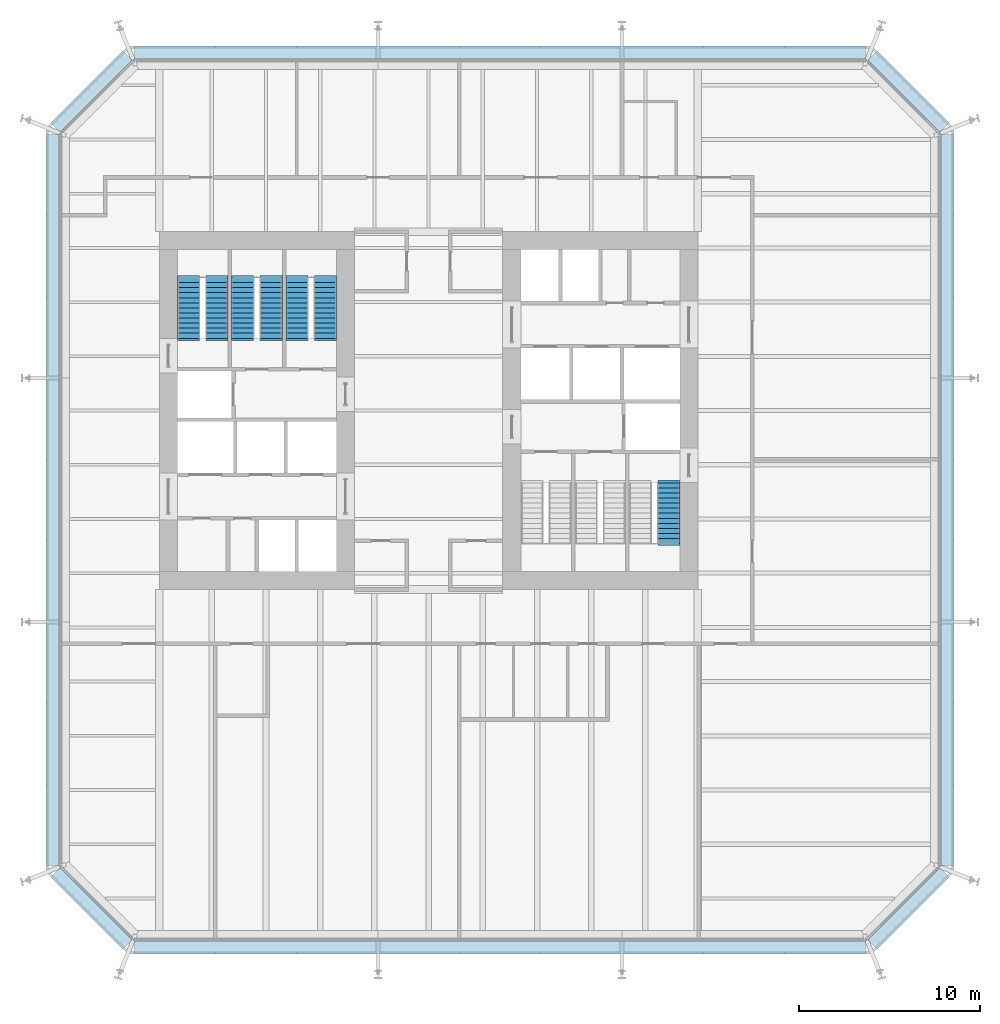
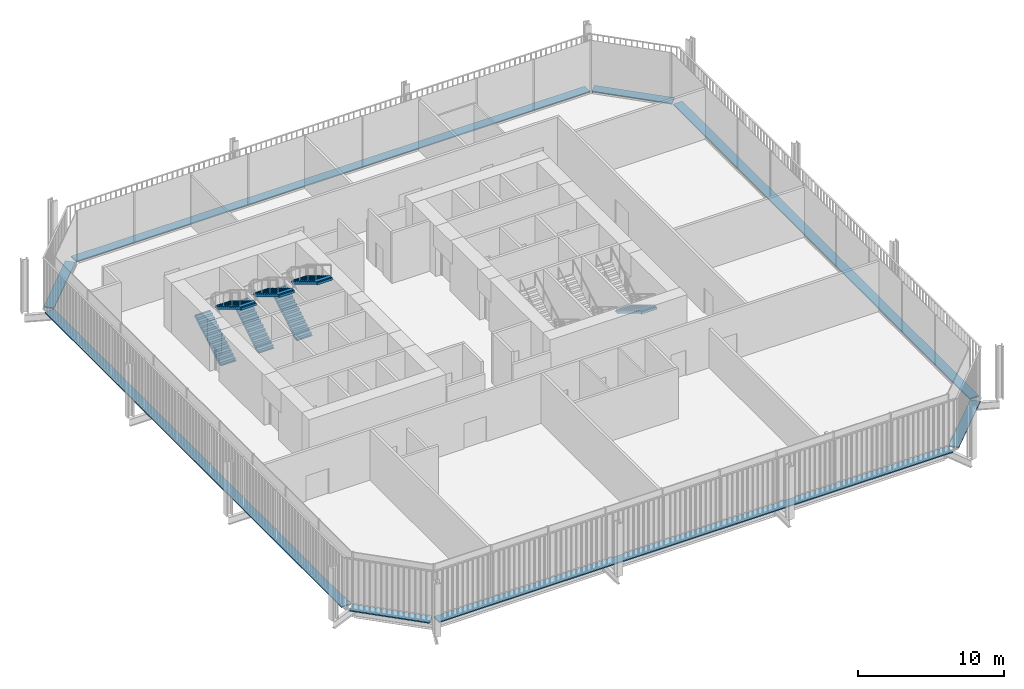
# One storey, part 19 of 20: 8 discrete accessories, 7 stair flights, 4 elements without a shape of their own.
"""IFC4 building model written with IfcOpenShell, lengths in metres."""

from ifc_helpers import new_model, si_unit, direction, frame, origin, origin_2d, place, context, subcontext, project, spatial, polyline, rectangle, outline, extrude, material, type_object, element, aggregate, save


model = new_model("IFC4")

# Units and contexts
model_context = context("Model", 3, precision=1e-05, world=origin(), true_north=direction((0.0, 1.0)))
body_context = subcontext(model_context, "Body", "Model", "MODEL_VIEW")
ifc_project = project(units=[si_unit("LENGTHUNIT", "METRE"), si_unit("AREAUNIT", "SQUARE_METRE"), si_unit("VOLUMEUNIT", "CUBIC_METRE"), si_unit("PLANEANGLEUNIT", "RADIAN"), si_unit("MASSUNIT", "GRAM", prefix="KILO")], contexts=[model_context])

# Site, building, storey
site_placement = place(None, origin())
site = spatial("IfcSite", under=ifc_project, at=site_placement, CompositionType="ELEMENT")
building_placement = place(site_placement, origin())
building = spatial("IfcBuilding", under=site, at=building_placement, Name="Millrace Tower", CompositionType="ELEMENT")
storey_placement = place(building_placement, frame((0.0, 0.0, 77.60009765625)))
storey = spatial("IfcBuildingStorey", under=building, at=storey_placement, Name="L17", CompositionType="ELEMENT", Elevation=77.60009765625)

# Stair, stair flights
ifc_material_1 = material(Name="Concrete C35", Category="concrete")
stair_type = type_object("IfcStairType", Name="Exit stair", PredefinedType="HALF_TURN_STAIR", material=ifc_material_1)
placement = place(storey_placement, origin())
stair_1 = element("IfcStair", 1, at=placement, inside=storey, type_object=stair_type, Name="Stair 1 W L17", PredefinedType="HALF_TURN_STAIR")
ifc_material_2 = material(Name="Concrete C35", Category="concrete")
stair_flight_type = type_object("IfcStairFlightType", Name="Exit stair flight", PredefinedType="STRAIGHT", material=ifc_material_2)
stair_flight_1_placement = place(storey_placement, frame((-13.2900390625, 4.0, 0.0), z_axis=(0.0, 0.0, 1.0), x_axis=(0.0, 1.0, 0.0)))
stair_flight_1 = element("IfcStairFlight", 2, at=stair_flight_1_placement, type_object=stair_flight_type, Name="ST12 flight 1", NumberOfRisers=13, NumberOfTreads=12, PredefinedType="STRAIGHT", RiserHeight=0.169230769, TreadLength=0.28, context=body_context, shape_type="SweptSolid", body=[
    extrude(outline(polyline([(-0.1201171875, -0.0400390625), (-0.1201171875, 0.0), (0.0, 0.0), (0.0, 0.169189453125), (0.280029296875, 0.169189453125), (0.280029296875, 0.33837890625), (0.56005859375, 0.33837890625), (0.56005859375, 0.5078125), (0.840087890625, 0.5078125), (0.840087890625, 0.677001953125), (1.1201171875, 0.677001953125), (1.1201171875, 0.84619140625), (1.39990234375, 0.84619140625), (1.39990234375, 1.015380859375), (1.679931640625, 1.015380859375), (1.679931640625, 1.1845703125), (1.9599609375, 1.1845703125), (1.9599609375, 1.353759765625), (2.239990234375, 1.353759765625), (2.239990234375, 1.523193359375), (2.52001953125, 1.523193359375), (2.52001953125, 1.6923828125), (2.800048828125, 1.6923828125), (2.800048828125, 1.861572265625), (3.080078125, 1.861572265625), (3.080078125, 2.03076171875), (3.360107421875, 2.03076171875), (3.360107421875, 2.05078125), (3.47998046875, 2.05078125), (3.47998046875, 1.855712890625), (3.360107421875, 1.855712890625), (0.289794921875, 0.0), (0.289794921875, -0.0400390625), (-0.1201171875, -0.0400390625)])), frame((0.0, 0.60986328125, 0.0), z_axis=(0.0, -1.0, 0.0), x_axis=(1.0, 0.0, 0.0)), (0.0, 0.0, 1.0), 1.219970703125),
])
stair_flight_2_placement = place(storey_placement, frame((-11.7099609375, 7.360107421875, 2.199951171875), z_axis=(0.0, 0.0, 1.0), x_axis=(0.0, -1.0, 0.0)))
stair_flight_2 = element("IfcStairFlight", 3, at=stair_flight_2_placement, type_object=stair_flight_type, Name="ST12 flight 2", NumberOfRisers=13, NumberOfTreads=12, PredefinedType="STRAIGHT", RiserHeight=0.169230769, TreadLength=0.28, context=body_context, shape_type="SweptSolid", body=[
    extrude(outline(polyline([(-0.1201171875, -0.0400390625), (-0.1201171875, 0.0), (0.0, 0.0), (0.0, 0.169189453125), (0.280029296875, 0.169189453125), (0.280029296875, 0.33837890625), (0.56005859375, 0.33837890625), (0.56005859375, 0.5078125), (0.840087890625, 0.5078125), (0.840087890625, 0.677001953125), (1.1201171875, 0.677001953125), (1.1201171875, 0.84619140625), (1.39990234375, 0.84619140625), (1.39990234375, 1.015380859375), (1.679931640625, 1.015380859375), (1.679931640625, 1.1845703125), (1.9599609375, 1.1845703125), (1.9599609375, 1.353759765625), (2.239990234375, 1.353759765625), (2.239990234375, 1.523193359375), (2.52001953125, 1.523193359375), (2.52001953125, 1.6923828125), (2.800048828125, 1.6923828125), (2.800048828125, 1.861572265625), (3.080078125, 1.861572265625), (3.080078125, 2.03076171875), (3.360107421875, 2.03076171875), (3.360107421875, 2.05078125), (3.47998046875, 2.05078125), (3.47998046875, 1.855712890625), (3.360107421875, 1.855712890625), (0.289794921875, 0.0), (0.289794921875, -0.0400390625), (-0.1201171875, -0.0400390625)])), frame((0.0, 0.60986328125, 0.0), z_axis=(0.0, -1.0, 0.0), x_axis=(1.0, 0.0, 0.0)), (0.0, 0.0, 1.0), 1.219970703125),
])
aggregate(stair_1, [stair_flight_1, stair_flight_2])

stair_2 = element("IfcStair", 4, at=placement, inside=storey, type_object=stair_type, Name="Stair 2 W L17", PredefinedType="HALF_TURN_STAIR")
stair_flight_3_placement = place(storey_placement, frame((-10.2900390625, 4.0, 0.0), z_axis=(0.0, 0.0, 1.0), x_axis=(0.0, 1.0, 0.0)))
stair_flight_3 = element("IfcStairFlight", 5, at=stair_flight_3_placement, type_object=stair_flight_type, Name="ST12 flight 1", NumberOfRisers=13, NumberOfTreads=12, PredefinedType="STRAIGHT", RiserHeight=0.169230769, TreadLength=0.28, context=body_context, shape_type="SweptSolid", body=[
    extrude(outline(polyline([(-0.1201171875, -0.0400390625), (-0.1201171875, 0.0), (0.0, 0.0), (0.0, 0.169189453125), (0.280029296875, 0.169189453125), (0.280029296875, 0.33837890625), (0.56005859375, 0.33837890625), (0.56005859375, 0.5078125), (0.840087890625, 0.5078125), (0.840087890625, 0.677001953125), (1.1201171875, 0.677001953125), (1.1201171875, 0.84619140625), (1.39990234375, 0.84619140625), (1.39990234375, 1.015380859375), (1.679931640625, 1.015380859375), (1.679931640625, 1.1845703125), (1.9599609375, 1.1845703125), (1.9599609375, 1.353759765625), (2.239990234375, 1.353759765625), (2.239990234375, 1.523193359375), (2.52001953125, 1.523193359375), (2.52001953125, 1.6923828125), (2.800048828125, 1.6923828125), (2.800048828125, 1.861572265625), (3.080078125, 1.861572265625), (3.080078125, 2.03076171875), (3.360107421875, 2.03076171875), (3.360107421875, 2.05078125), (3.47998046875, 2.05078125), (3.47998046875, 1.855712890625), (3.360107421875, 1.855712890625), (0.289794921875, 0.0), (0.289794921875, -0.0400390625), (-0.1201171875, -0.0400390625)])), frame((0.0, 0.60986328125, 0.0), z_axis=(0.0, -1.0, 0.0), x_axis=(1.0, 0.0, 0.0)), (0.0, 0.0, 1.0), 1.219970703125),
])
stair_flight_4_placement = place(storey_placement, frame((-8.7099609375, 7.360107421875, 2.199951171875), z_axis=(0.0, 0.0, 1.0), x_axis=(0.0, -1.0, 0.0)))
stair_flight_4 = element("IfcStairFlight", 6, at=stair_flight_4_placement, type_object=stair_flight_type, Name="ST12 flight 2", NumberOfRisers=13, NumberOfTreads=12, PredefinedType="STRAIGHT", RiserHeight=0.169230769, TreadLength=0.28, context=body_context, shape_type="SweptSolid", body=[
    extrude(outline(polyline([(-0.1201171875, -0.0400390625), (-0.1201171875, 0.0), (0.0, 0.0), (0.0, 0.169189453125), (0.280029296875, 0.169189453125), (0.280029296875, 0.33837890625), (0.56005859375, 0.33837890625), (0.56005859375, 0.5078125), (0.840087890625, 0.5078125), (0.840087890625, 0.677001953125), (1.1201171875, 0.677001953125), (1.1201171875, 0.84619140625), (1.39990234375, 0.84619140625), (1.39990234375, 1.015380859375), (1.679931640625, 1.015380859375), (1.679931640625, 1.1845703125), (1.9599609375, 1.1845703125), (1.9599609375, 1.353759765625), (2.239990234375, 1.353759765625), (2.239990234375, 1.523193359375), (2.52001953125, 1.523193359375), (2.52001953125, 1.6923828125), (2.800048828125, 1.6923828125), (2.800048828125, 1.861572265625), (3.080078125, 1.861572265625), (3.080078125, 2.03076171875), (3.360107421875, 2.03076171875), (3.360107421875, 2.05078125), (3.47998046875, 2.05078125), (3.47998046875, 1.855712890625), (3.360107421875, 1.855712890625), (0.289794921875, 0.0), (0.289794921875, -0.0400390625), (-0.1201171875, -0.0400390625)])), frame((0.0, 0.60986328125, 0.0), z_axis=(0.0, -1.0, 0.0), x_axis=(1.0, 0.0, 0.0)), (0.0, 0.0, 1.0), 1.219970703125),
])
aggregate(stair_2, [stair_flight_3, stair_flight_4])

stair_3 = element("IfcStair", 7, at=placement, inside=storey, type_object=stair_type, Name="Stair 3 W L17", PredefinedType="HALF_TURN_STAIR")
stair_flight_5_placement = place(storey_placement, frame((-7.2900390625, 4.0, 0.0), z_axis=(0.0, 0.0, 1.0), x_axis=(0.0, 1.0, 0.0)))
stair_flight_5 = element("IfcStairFlight", 8, at=stair_flight_5_placement, type_object=stair_flight_type, Name="ST12 flight 1", NumberOfRisers=13, NumberOfTreads=12, PredefinedType="STRAIGHT", RiserHeight=0.169230769, TreadLength=0.28, context=body_context, shape_type="SweptSolid", body=[
    extrude(outline(polyline([(-0.1201171875, -0.0400390625), (-0.1201171875, 0.0), (0.0, 0.0), (0.0, 0.169189453125), (0.280029296875, 0.169189453125), (0.280029296875, 0.33837890625), (0.56005859375, 0.33837890625), (0.56005859375, 0.5078125), (0.840087890625, 0.5078125), (0.840087890625, 0.677001953125), (1.1201171875, 0.677001953125), (1.1201171875, 0.84619140625), (1.39990234375, 0.84619140625), (1.39990234375, 1.015380859375), (1.679931640625, 1.015380859375), (1.679931640625, 1.1845703125), (1.9599609375, 1.1845703125), (1.9599609375, 1.353759765625), (2.239990234375, 1.353759765625), (2.239990234375, 1.523193359375), (2.52001953125, 1.523193359375), (2.52001953125, 1.6923828125), (2.800048828125, 1.6923828125), (2.800048828125, 1.861572265625), (3.080078125, 1.861572265625), (3.080078125, 2.03076171875), (3.360107421875, 2.03076171875), (3.360107421875, 2.05078125), (3.47998046875, 2.05078125), (3.47998046875, 1.855712890625), (3.360107421875, 1.855712890625), (0.289794921875, 0.0), (0.289794921875, -0.0400390625), (-0.1201171875, -0.0400390625)])), frame((0.0, 0.60986328125, 0.0), z_axis=(0.0, -1.0, 0.0), x_axis=(1.0, 0.0, 0.0)), (0.0, 0.0, 1.0), 1.219970703125),
])
stair_flight_6_placement = place(storey_placement, frame((-5.7099609375, 7.360107421875, 2.199951171875), z_axis=(0.0, 0.0, 1.0), x_axis=(0.0, -1.0, 0.0)))
stair_flight_6 = element("IfcStairFlight", 9, at=stair_flight_6_placement, type_object=stair_flight_type, Name="ST12 flight 2", NumberOfRisers=13, NumberOfTreads=12, PredefinedType="STRAIGHT", RiserHeight=0.169230769, TreadLength=0.28, context=body_context, shape_type="SweptSolid", body=[
    extrude(outline(polyline([(-0.1201171875, -0.0400390625), (-0.1201171875, 0.0), (0.0, 0.0), (0.0, 0.169189453125), (0.280029296875, 0.169189453125), (0.280029296875, 0.33837890625), (0.56005859375, 0.33837890625), (0.56005859375, 0.5078125), (0.840087890625, 0.5078125), (0.840087890625, 0.677001953125), (1.1201171875, 0.677001953125), (1.1201171875, 0.84619140625), (1.39990234375, 0.84619140625), (1.39990234375, 1.015380859375), (1.679931640625, 1.015380859375), (1.679931640625, 1.1845703125), (1.9599609375, 1.1845703125), (1.9599609375, 1.353759765625), (2.239990234375, 1.353759765625), (2.239990234375, 1.523193359375), (2.52001953125, 1.523193359375), (2.52001953125, 1.6923828125), (2.800048828125, 1.6923828125), (2.800048828125, 1.861572265625), (3.080078125, 1.861572265625), (3.080078125, 2.03076171875), (3.360107421875, 2.03076171875), (3.360107421875, 2.05078125), (3.47998046875, 2.05078125), (3.47998046875, 1.855712890625), (3.360107421875, 1.855712890625), (0.289794921875, 0.0), (0.289794921875, -0.0400390625), (-0.1201171875, -0.0400390625)])), frame((0.0, 0.60986328125, 0.0), z_axis=(0.0, -1.0, 0.0), x_axis=(1.0, 0.0, 0.0)), (0.0, 0.0, 1.0), 1.219970703125),
])
aggregate(stair_3, [stair_flight_5, stair_flight_6])

# Stair, stair flight
stair_4 = element("IfcStair", 10, at=placement, inside=storey, type_object=stair_type, Name="Stair 1 E L17", PredefinedType="HALF_TURN_STAIR")
stair_flight_7_placement = place(storey_placement, frame((13.2900390625, -4.0, 0.0), z_axis=(0.0, 0.0, 1.0), x_axis=(0.0, -1.0, 0.0)))
stair_flight_7 = element("IfcStairFlight", 11, at=stair_flight_7_placement, type_object=stair_flight_type, Name="ST12 flight 1", NumberOfRisers=13, NumberOfTreads=12, PredefinedType="STRAIGHT", RiserHeight=0.169230769, TreadLength=0.28, context=body_context, shape_type="SweptSolid", body=[
    extrude(outline(polyline([(-0.1201171875, -0.0400390625), (-0.1201171875, 0.0), (0.0, 0.0), (0.0, 0.169189453125), (0.280029296875, 0.169189453125), (0.280029296875, 0.33837890625), (0.56005859375, 0.33837890625), (0.56005859375, 0.5078125), (0.840087890625, 0.5078125), (0.840087890625, 0.677001953125), (1.1201171875, 0.677001953125), (1.1201171875, 0.84619140625), (1.39990234375, 0.84619140625), (1.39990234375, 1.015380859375), (1.679931640625, 1.015380859375), (1.679931640625, 1.1845703125), (1.9599609375, 1.1845703125), (1.9599609375, 1.353759765625), (2.239990234375, 1.353759765625), (2.239990234375, 1.523193359375), (2.52001953125, 1.523193359375), (2.52001953125, 1.6923828125), (2.800048828125, 1.6923828125), (2.800048828125, 1.861572265625), (3.080078125, 1.861572265625), (3.080078125, 2.03076171875), (3.360107421875, 2.03076171875), (3.360107421875, 2.05078125), (3.47998046875, 2.05078125), (3.47998046875, 1.855712890625), (3.360107421875, 1.855712890625), (0.289794921875, 0.0), (0.289794921875, -0.0400390625), (-0.1201171875, -0.0400390625)])), frame((0.0, 0.60986328125, 0.0), z_axis=(0.0, -1.0, 0.0), x_axis=(1.0, 0.0, 0.0)), (0.0, 0.0, 1.0), 1.219970703125),
])
aggregate(stair_4, [stair_flight_7])

# Discrete accessories
ifc_material_3 = material(Name="Stainless steel ASTM A240 type 316", Category="steel")
discrete_accessory_type = type_object("IfcDiscreteAccessoryType", Name="Thermally broken screen support rail", PredefinedType="BRACKET", material=ifc_material_3)
discrete_accessory_1_placement = place(storey_placement, frame((-18.66064453125, -27.560546875, -0.000244140625), z_axis=(0.0, 0.0, 1.0), x_axis=(0.707106781187, -0.707106781187, 0.0)))
element("IfcDiscreteAccessory", 12, at=discrete_accessory_1_placement, inside=storey, type_object=discrete_accessory_type, Name="Thermally broken screen support rail B-F01 L17 1", PredefinedType="BRACKET", context=body_context, shape_type="SweptSolid", body=[
    extrude(rectangle(XDim=5.65673828125, YDim=0.719970703125, at=origin_2d()), origin(), (0.0, 0.0, 1.0), 0.10009765625),
])
discrete_accessory_2_placement = place(storey_placement, frame((3.949951171875, -29.7099609375, -0.000244140625), z_axis=(0.0, 0.0, 1.0), x_axis=(1.0, 0.0, 0.0)))
element("IfcDiscreteAccessory", 13, at=discrete_accessory_2_placement, inside=storey, type_object=discrete_accessory_type, Name="Thermally broken screen support rail B-F02 L17 1", PredefinedType="BRACKET", context=body_context, shape_type="SweptSolid", body=[
    extrude(rectangle(XDim=40.5, YDim=0.719970703125, at=origin_2d()), origin(), (0.0, 0.0, 1.0), 0.10009765625),
])
discrete_accessory_3_placement = place(storey_placement, frame((26.560546875, -27.560546875, -0.000244140625), z_axis=(0.0, 0.0, 1.0), x_axis=(0.707106781187, 0.707106781187, 0.0)))
element("IfcDiscreteAccessory", 14, at=discrete_accessory_3_placement, inside=storey, type_object=discrete_accessory_type, Name="Thermally broken screen support rail B-F03 L17 1", PredefinedType="BRACKET", context=body_context, shape_type="SweptSolid", body=[
    extrude(rectangle(XDim=5.65673828125, YDim=0.719970703125, at=origin_2d()), origin(), (0.0, 0.0, 1.0), 0.10009765625),
])
discrete_accessory_4_placement = place(storey_placement, frame((28.7099609375, -4.949951171875, -0.000244140625), z_axis=(0.0, 0.0, 1.0), x_axis=(0.0, 1.0, 0.0)))
element("IfcDiscreteAccessory", 15, at=discrete_accessory_4_placement, inside=storey, type_object=discrete_accessory_type, Name="Thermally broken screen support rail B-F04 L17 1", PredefinedType="BRACKET", context=body_context, shape_type="SweptSolid", body=[
    extrude(rectangle(XDim=40.5, YDim=0.719970703125, at=origin_2d()), origin(), (0.0, 0.0, 1.0), 0.10009765625),
])
discrete_accessory_5_placement = place(storey_placement, frame((26.560546875, 17.66064453125, -0.000244140625), z_axis=(0.0, 0.0, 1.0), x_axis=(-0.707106781187, 0.707106781187, 0.0)))
element("IfcDiscreteAccessory", 16, at=discrete_accessory_5_placement, inside=storey, type_object=discrete_accessory_type, Name="Thermally broken screen support rail B-F05 L17 1", PredefinedType="BRACKET", context=body_context, shape_type="SweptSolid", body=[
    extrude(rectangle(XDim=5.65673828125, YDim=0.719970703125, at=origin_2d()), origin(), (0.0, 0.0, 1.0), 0.10009765625),
])
discrete_accessory_6_placement = place(storey_placement, frame((3.949951171875, 19.81005859375, -0.000244140625), z_axis=(0.0, 0.0, 1.0), x_axis=(-1.0, 0.0, 0.0)))
element("IfcDiscreteAccessory", 17, at=discrete_accessory_6_placement, inside=storey, type_object=discrete_accessory_type, Name="Thermally broken screen support rail B-F06 L17 1", PredefinedType="BRACKET", context=body_context, shape_type="SweptSolid", body=[
    extrude(rectangle(XDim=40.5, YDim=0.719970703125, at=origin_2d()), origin(), (0.0, 0.0, 1.0), 0.10009765625),
])
discrete_accessory_7_placement = place(storey_placement, frame((-18.66064453125, 17.66064453125, -0.000244140625), z_axis=(0.0, 0.0, 1.0), x_axis=(-0.707106781187, -0.707106781187, 0.0)))
element("IfcDiscreteAccessory", 18, at=discrete_accessory_7_placement, inside=storey, type_object=discrete_accessory_type, Name="Thermally broken screen support rail B-F07 L17 1", PredefinedType="BRACKET", context=body_context, shape_type="SweptSolid", body=[
    extrude(rectangle(XDim=5.65673828125, YDim=0.719970703125, at=origin_2d()), origin(), (0.0, 0.0, 1.0), 0.10009765625),
])
discrete_accessory_8_placement = place(storey_placement, frame((-20.81005859375, -4.949951171875, -0.000244140625), z_axis=(0.0, 0.0, 1.0), x_axis=(0.0, -1.0, 0.0)))
element("IfcDiscreteAccessory", 19, at=discrete_accessory_8_placement, inside=storey, type_object=discrete_accessory_type, Name="Thermally broken screen support rail B-F08 L17 1", PredefinedType="BRACKET", context=body_context, shape_type="SweptSolid", body=[
    extrude(rectangle(XDim=40.5, YDim=0.719970703125, at=origin_2d()), origin(), (0.0, 0.0, 1.0), 0.10009765625),
])

save(model, "model.ifc")
